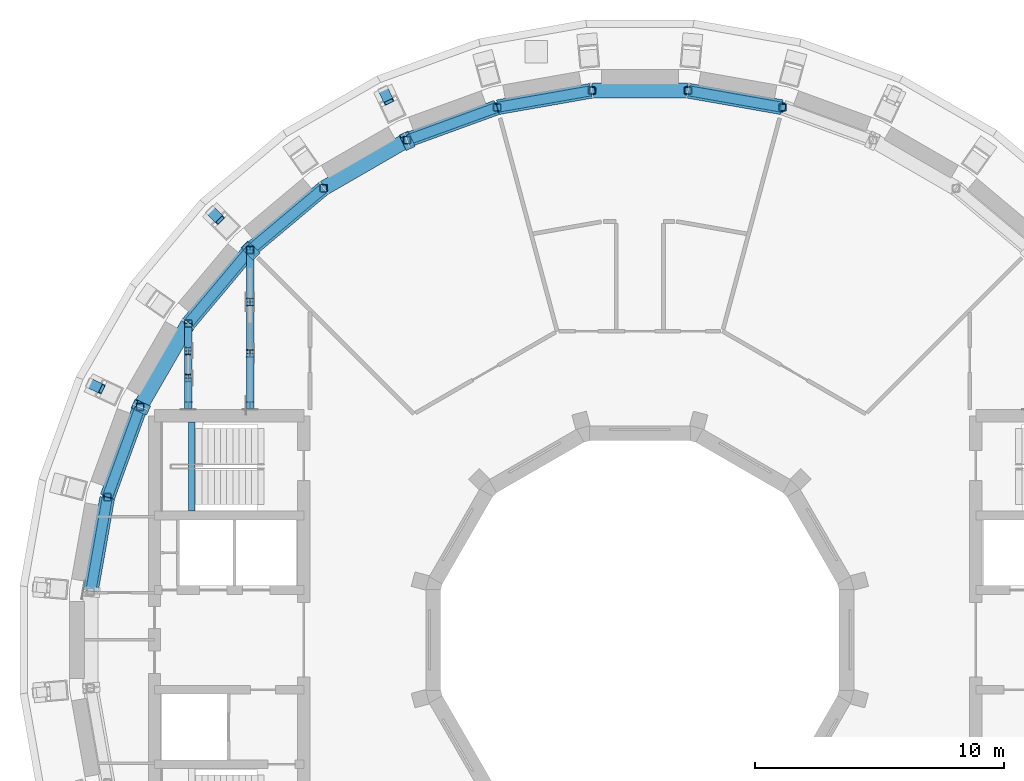
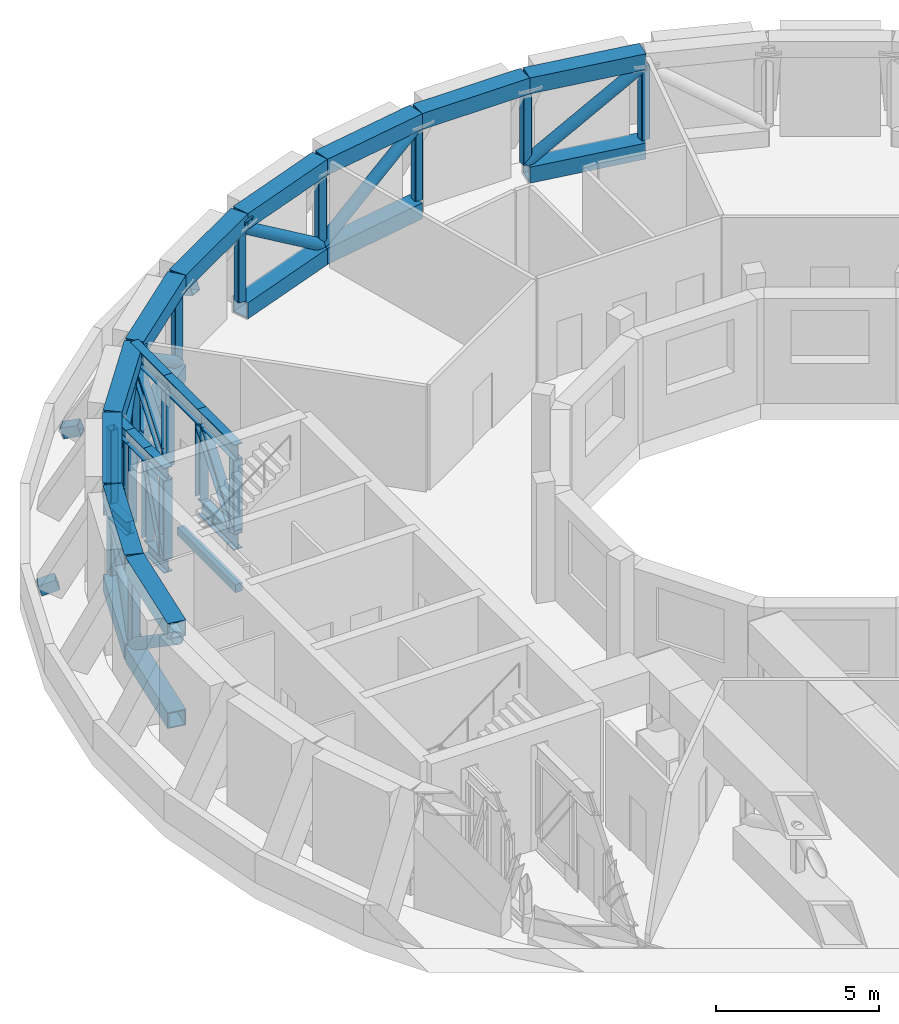
# One storey, part 6 of 20: 54 members, 7 beams.
"""IFC4 building model written with IfcOpenShell, lengths in metres."""

from ifc_helpers import new_model, si_unit, direction, frame, origin, origin_2d, place, context, subcontext, project, spatial, rectangle, hollow_rectangle, hollow_circle, i_section, extrude, material, material_profile, profile_set, type_object, element, save


model = new_model("IFC4")

# Units and contexts
model_context = context("Model", 3, precision=1e-05, world=origin(), true_north=direction((0.0, 1.0)))
body_context = subcontext(model_context, "Body", "Model", "MODEL_VIEW")
ifc_project = project(units=[si_unit("LENGTHUNIT", "METRE"), si_unit("AREAUNIT", "SQUARE_METRE"), si_unit("VOLUMEUNIT", "CUBIC_METRE"), si_unit("PLANEANGLEUNIT", "RADIAN"), si_unit("MASSUNIT", "GRAM", prefix="KILO")], contexts=[model_context])

# Site, building, storey
site_placement = place(None, origin())
site = spatial("IfcSite", under=ifc_project, at=site_placement, CompositionType="ELEMENT")
building_placement = place(site_placement, origin())
building = spatial("IfcBuilding", under=site, at=building_placement, Name="Saqina Gate Tower", CompositionType="ELEMENT")
storey_placement = place(building_placement, frame((0.0, 0.0, 220.199951171875)))
storey = spatial("IfcBuildingStorey", under=building, at=storey_placement, Name="L63", CompositionType="ELEMENT", Elevation=220.199951171875)

# Beam
ifc_material_1 = material(Name="Concrete C40/50", Category="concrete")
ifc_material_profile_1 = material_profile(ifc_material_1, rectangle(XDim=0.25, YDim=0.300048828125, at=origin_2d()), Name="STAIR LANDING BEAM")
ifc_profile_set_1 = profile_set([ifc_material_profile_1], Name="Concrete C40/50")
beam_type_1 = type_object("IfcBeamType", Name="STAIR LANDING BEAM", PredefinedType="BEAM", material=ifc_profile_set_1)
beam_placement = place(storey_placement, frame((-18.0, 5.175048828125, 1.85009765625), z_axis=(0.0, 1.0, 0.0), x_axis=(-1.0, 0.0, 0.0)))
element("IfcBeam", 1, at=beam_placement, inside=storey, type_object=beam_type_1, Name="EXIT STAIR 3 LANDING BEAM", PredefinedType="BEAM", context=body_context, shape_type="SweptSolid", body=[
    extrude(rectangle(XDim=0.25, YDim=0.300048828125, at=origin_2d()), origin(), (0.0, 0.0, 1.0), 3.574951171875),
])

# Members
ifc_material_2 = material(Name="Steel S460", Category="steel")
ifc_material_profile_2 = material_profile(ifc_material_2, hollow_rectangle(XDim=0.60009765625, YDim=0.60009765625, WallThickness=0.0400390625, at=origin_2d()), Name="BOX 600x600x40")
ifc_profile_set_2 = profile_set([ifc_material_profile_2], Name="Steel S460")
member_type_1 = type_object("IfcMemberType", Name="STR-BELT TRUSS L63 CHORD-BOX 600x600x40", PredefinedType="CHORD", material=ifc_profile_set_2)
for number, where, z_axis, x_axis, name in (
    (2, (5.70703125, 21.39990234375, 0.300048828125), (-0.984817742469, 0.173591515108, 0.0), (-0.173591515108, -0.984817742469, 0.0), "BELT TRUSS L63 CHORD 018"),
    (3, (5.70703125, 21.39990234375, 3.650146484375), (-0.984817742469, 0.173591515108, 0.0), (-0.173591515108, -0.984817742469, 0.0), "BELT TRUSS L63 CHORD 019"),
    (4, (1.904296875, 22.065673828125, 3.650146484375), (-1.0, 0.0, 0.0), (0.0, -1.0, 0.0), "BELT TRUSS L63 CHORD 021"),
    (5, (-1.956298828125, 22.06103515625, 0.300048828125), (-0.984817742469, -0.173591515108, 0.0), (0.173591515108, -0.984817742469, 0.0), "BELT TRUSS L63 CHORD 022"),
    (6, (-1.956298828125, 22.06103515625, 3.650146484375), (-0.984817742469, -0.173591515108, 0.0), (0.173591515108, -0.984817742469, 0.0), "BELT TRUSS L63 CHORD 023"),
    (7, (-5.757568359375, 21.38623046875, 0.300048828125), (-0.939701678704, -0.341995255876, 0.0), (0.341995255876, -0.939701678704, 0.0), "BELT TRUSS L63 CHORD 025"),
    (8, (-5.757568359375, 21.38623046875, 3.650146484375), (-0.939701678704, -0.341995255876, 0.0), (0.341995255876, -0.939701678704, 0.0), "BELT TRUSS L63 CHORD 026"),
):
    element("IfcMember", number, at=place(storey_placement, frame(where, z_axis=z_axis, x_axis=x_axis)), inside=storey, type_object=member_type_1, Name=name, PredefinedType="CHORD", context=body_context, shape_type="SweptSolid", body=[
        extrude(hollow_rectangle(XDim=0.60009765625, YDim=0.60009765625, WallThickness=0.0400390625, at=origin_2d()), origin(), (0.0, 0.0, 1.0), 3.80859375),
    ])
member_1_placement = place(storey_placement, frame((-9.3837890625, 20.0615234375, 3.650146484375), z_axis=(-0.866009436129, -0.500027655771, 0.0), x_axis=(0.500027655771, -0.866009436129, 0.0)))
element("IfcMember", 9, at=member_1_placement, inside=storey, type_object=member_type_1, Name="BELT TRUSS L63 CHORD 028", PredefinedType="CHORD", context=body_context, shape_type="SweptSolid", body=[
    extrude(hollow_rectangle(XDim=0.60009765625, YDim=0.60009765625, WallThickness=0.0400390625, at=origin_2d()), origin(), (0.0, 0.0, 1.0), 3.808349609375),
])
for number, where, z_axis, x_axis, name in (
    (10, (-12.724853515625, 18.12744140625, 0.300048828125), (-0.766020472545, -0.642816175622, 0.0), (0.642816175622, -0.766020472545, 0.0), "BELT TRUSS L63 CHORD 029"),
    (11, (-12.724853515625, 18.12744140625, 3.650146484375), (-0.766020472545, -0.642816175622, 0.0), (0.642816175622, -0.766020472545, 0.0), "BELT TRUSS L63 CHORD 030"),
    (12, (-15.67919921875, 15.642333984375, 0.300048828125), (-0.642816175622, -0.766020472545, 0.0), (0.766020472545, -0.642816175622, 0.0), "BELT TRUSS L63 CHORD 032"),
    (13, (-15.67919921875, 15.642333984375, 3.650146484375), (-0.642816175622, -0.766020472545, 0.0), (0.766020472545, -0.642816175622, 0.0), "BELT TRUSS L63 CHORD 033"),
):
    element("IfcMember", number, at=place(storey_placement, frame(where, z_axis=z_axis, x_axis=x_axis)), inside=storey, type_object=member_type_1, Name=name, PredefinedType="CHORD", context=body_context, shape_type="SweptSolid", body=[
        extrude(hollow_rectangle(XDim=0.60009765625, YDim=0.60009765625, WallThickness=0.0400390625, at=origin_2d()), origin(), (0.0, 0.0, 1.0), 3.80859375),
    ])
member_2_placement = place(storey_placement, frame((-18.1572265625, 12.681884765625, 3.650146484375), z_axis=(-0.500027655771, -0.866009436129, 0.0), x_axis=(0.866009436129, -0.500027655771, 0.0)))
element("IfcMember", 14, at=member_2_placement, inside=storey, type_object=member_type_1, Name="BELT TRUSS L63 CHORD 035", PredefinedType="CHORD", context=body_context, shape_type="SweptSolid", body=[
    extrude(hollow_rectangle(XDim=0.60009765625, YDim=0.60009765625, WallThickness=0.0400390625, at=origin_2d()), origin(), (0.0, 0.0, 1.0), 3.808349609375),
])
for number, where, z_axis, x_axis, name in (
    (15, (-20.083740234375, 9.33642578125, 0.300048828125), (-0.341995255876, -0.939701678704, 0.0), (0.939701678704, -0.341995255876, 0.0), "BELT TRUSS L63 CHORD 036"),
    (16, (-20.083740234375, 9.33642578125, 3.650146484375), (-0.341995255876, -0.939701678704, 0.0), (0.939701678704, -0.341995255876, 0.0), "BELT TRUSS L63 CHORD 037"),
    (17, (-21.39990234375, 5.70703125, 0.300048828125), (-0.173591515108, -0.984817742469, 0.0), (0.984817742469, -0.173591515108, 0.0), "BELT TRUSS L63 CHORD 039"),
    (18, (-21.39990234375, 5.70703125, 3.650146484375), (-0.173591515108, -0.984817742469, 0.0), (0.984817742469, -0.173591515108, 0.0), "BELT TRUSS L63 CHORD 040"),
):
    element("IfcMember", number, at=place(storey_placement, frame(where, z_axis=z_axis, x_axis=x_axis)), inside=storey, type_object=member_type_1, Name=name, PredefinedType="CHORD", context=body_context, shape_type="SweptSolid", body=[
        extrude(hollow_rectangle(XDim=0.60009765625, YDim=0.60009765625, WallThickness=0.0400390625, at=origin_2d()), origin(), (0.0, 0.0, 1.0), 3.80859375),
    ])
ifc_material_3 = material(Name="Steel S460", Category="steel")
ifc_material_profile_3 = material_profile(ifc_material_3, hollow_circle(Radius=0.203125, WallThickness=0.01611328125, at=origin_2d()), Name="CHS 406.4x16")
ifc_profile_set_3 = profile_set([ifc_material_profile_3], Name="Steel S460")
member_type_2 = type_object("IfcMemberType", Name="STR-BELT TRUSS L63 DIAGONAL-CHS 406.4x16", PredefinedType="BRACE", material=ifc_profile_set_3)
for number, where, z_axis, x_axis, name in (
    (19, (5.742431640625, 21.3935546875, 3.35693359375), (-0.802139045921, 0.141436387066, -0.580145412309), (-0.17364535687, -0.984808250391, 0.0), "BELT TRUSS L63 DIAGONAL 020"),
    (20, (-1.9208984375, 22.0673828125, 3.35693359375), (-0.802139045921, -0.141436387066, -0.580145412309), (0.17364535687, -0.984808250391, 0.0), "BELT TRUSS L63 DIAGONAL 024"),
    (21, (-5.7236328125, 21.398681640625, 0.593017578125), (-0.765385221428, -0.27861538892, 0.580136990612), (0.342061285319, -0.939677645305, 0.0), "BELT TRUSS L63 DIAGONAL 027"),
    (22, (-12.697265625, 18.150390625, 0.593017578125), (-0.623970085699, -0.523528120524, 0.580154840687), (0.642755225422, -0.766071615577, 0.0), "BELT TRUSS L63 DIAGONAL 031"),
    (23, (-15.65625, 15.669921875, 3.35693359375), (-0.523528120524, -0.623970085699, -0.580154840687), (0.766071615577, -0.642755225422, 0.0), "BELT TRUSS L63 DIAGONAL 034"),
    (24, (-20.0712890625, 9.3701171875, 3.35693359375), (-0.27861538892, -0.765385221428, -0.580136990612), (0.939677645305, -0.342061285319, 0.0), "BELT TRUSS L63 DIAGONAL 038"),
    (25, (-21.3935546875, 5.742431640625, 0.593017578125), (-0.141436387066, -0.802139045921, 0.580145412309), (0.984808250391, -0.17364535687, 0.0), "BELT TRUSS L63 DIAGONAL 041"),
):
    element("IfcMember", number, at=place(storey_placement, frame(where, z_axis=z_axis, x_axis=x_axis)), inside=storey, type_object=member_type_2, Name=name, PredefinedType="BRACE", context=body_context, shape_type="SweptSolid", body=[
        extrude(hollow_circle(Radius=0.203125, WallThickness=0.01611328125, at=origin_2d()), origin(), (0.0, 0.0, 1.0), 4.76416015625),
    ])
ifc_material_4 = material(Name="Steel S460", Category="steel")
ifc_material_profile_4 = material_profile(ifc_material_4, hollow_rectangle(XDim=0.300048828125, YDim=0.300048828125, WallThickness=0.01611328125, InnerFilletRadius=0.031982421875, OuterFilletRadius=0.048095703125, at=origin_2d()), Name="SHS 300x300x16")
ifc_profile_set_4 = profile_set([ifc_material_profile_4], Name="Steel S460")
member_type_3 = type_object("IfcMemberType", Name="STR-BELT TRUSS L63 POST-SHS 300x300x16", PredefinedType="POST", material=ifc_profile_set_4)
for number, where, z_axis, x_axis, name in (
    (26, (5.73291015625, 21.395263671875, 0.60009765625), (0.0, 0.0, 1.0), (1.0, 0.0, 0.0), "BELT TRUSS L63 POST 091"),
    (27, (1.930419921875, 22.065673828125, 0.60009765625), (0.0, 0.0, 1.0), (1.0, 0.0, 0.0), "BELT TRUSS L63 POST 092"),
    (28, (-1.930419921875, 22.065673828125, 0.60009765625), (0.0, 0.0, 1.0), (1.0, 0.0, 0.0), "BELT TRUSS L63 POST 093"),
    (29, (-5.73291015625, 21.395263671875, 0.60009765625), (0.0, 0.0, 1.0), (1.0, 0.0, 0.0), "BELT TRUSS L63 POST 094"),
    (30, (-9.361083984375, 20.07470703125, 0.60009765625), (0.0, 0.0, 1.0), (1.0, 0.0, 0.0), "BELT TRUSS L63 POST 095"),
    (31, (-12.704833984375, 18.144287109375, 0.60009765625), (0.0, 0.0, 1.0), (1.0, 0.0, 0.0), "BELT TRUSS L63 POST 096"),
    (32, (-15.662353515625, 15.662353515625, 0.60009765625), (0.0, 0.0, 1.0), (1.0, 0.0, 0.0), "BELT TRUSS L63 POST 097"),
    (33, (-18.144287109375, 12.704833984375, 0.60009765625), (0.0, 0.0, 1.0), (1.0, 0.0, 0.0), "BELT TRUSS L63 POST 098"),
    (34, (-20.07470703125, 9.361083984375, 0.60009765625), (0.0, 0.0, 1.0), (1.0, 0.0, 0.0), "BELT TRUSS L63 POST 099"),
    (35, (-21.395263671875, 5.73291015625, 0.60009765625), (0.0, 0.0, 1.0), (1.0, 0.0, 0.0), "BELT TRUSS L63 POST 100"),
):
    element("IfcMember", number, at=place(storey_placement, frame(where, z_axis=z_axis, x_axis=x_axis)), inside=storey, type_object=member_type_3, Name=name, PredefinedType="POST", context=body_context, shape_type="SweptSolid", body=[
        extrude(hollow_rectangle(XDim=0.300048828125, YDim=0.300048828125, WallThickness=0.01611328125, InnerFilletRadius=0.031982421875, OuterFilletRadius=0.048095703125, at=origin_2d()), origin(), (0.0, 0.0, 1.0), 2.75),
    ])

# Beams
ifc_material_5 = material(Name="Steel S460", Category="steel")
ifc_material_profile_5 = material_profile(ifc_material_5, hollow_rectangle(XDim=0.39990234375, YDim=0.39990234375, WallThickness=0.030029296875, at=origin_2d()), Name="BOX 400x400x30")
ifc_profile_set_5 = profile_set([ifc_material_profile_5], Name="Steel S460")
beam_type_2 = type_object("IfcBeamType", Name="STR-NODE TIE BEAM L63-BOX 400x400x30", PredefinedType="BEAM", material=ifc_profile_set_5)
for number, where, z_axis, x_axis, name in (
    (36, (-10.311767578125, 22.114013671875, 0.1884765625), (0.398020685333, -0.853737646481, 0.335725431011), (0.906341825437, 0.42254525848, 0.0), "NODE TIE BEAM L63 12 FOOT"),
    (37, (-9.234130859375, 19.802734375, 3.565673828125), (-0.398020685333, 0.853737646481, 0.335725431011), (-0.906341825437, -0.42254525848, 0.0), "NODE TIE BEAM L63 12 HEAD"),
    (38, (-17.25341796875, 17.25341796875, 0.1884765625), (0.666060531238, -0.666060531238, 0.335748026732), (0.707106781187, 0.707106781187, 0.0), "NODE TIE BEAM L63 14 FOOT"),
    (39, (-15.4501953125, 15.4501953125, 3.565673828125), (-0.666060531238, 0.666060531238, 0.335748026732), (-0.707106781187, -0.707106781187, 0.0), "NODE TIE BEAM L63 14 HEAD"),
    (40, (-22.114013671875, 10.311767578125, 0.1884765625), (0.853737646481, -0.398020685333, 0.335725431011), (0.42254525848, 0.906341825437, 0.0), "NODE TIE BEAM L63 16 FOOT"),
    (41, (-19.802734375, 9.234130859375, 3.565673828125), (-0.853737646481, 0.398020685333, 0.335725431011), (-0.42254525848, -0.906341825437, 0.0), "NODE TIE BEAM L63 16 HEAD"),
):
    element("IfcBeam", number, at=place(storey_placement, frame(where, z_axis=z_axis, x_axis=x_axis)), inside=storey, type_object=beam_type_2, Name=name, PredefinedType="BEAM", context=body_context, shape_type="SweptSolid", body=[
        extrude(hollow_rectangle(XDim=0.39990234375, YDim=0.39990234375, WallThickness=0.030029296875, at=origin_2d()), origin(), (0.0, 0.0, 1.0), 0.583984375),
    ])

# Members
ifc_material_6 = material(Name="Steel S460", Category="steel")
ifc_material_profile_6 = material_profile(ifc_material_6, i_section(OverallWidth=0.300048828125, OverallDepth=0.5, WebThickness=0.014404296875, FlangeThickness=0.028076171875, FilletRadius=0.027099609375, at=origin_2d()), Name="HE 500 B")
ifc_profile_set_6 = profile_set([ifc_material_profile_6], Name="Steel S460")
member_type_4 = type_object("IfcMemberType", Name="STR-OUTRIGGER TRUSS L63 CHORD-HE 500 B", PredefinedType="CHORD", material=ifc_profile_set_6)
for number, where, z_axis, x_axis, name in (
    (42, (-18.144287109375, 9.26806640625, 0.25), (0.0, 1.0, 0.0), (-1.0, 0.0, 0.0), "OUTRIGGER TRUSS L63 CHORD 140"),
    (43, (-18.144287109375, 9.26806640625, 3.699951171875), (0.0, 1.0, 0.0), (-1.0, 0.0, 0.0), "OUTRIGGER TRUSS L63 CHORD 141"),
):
    element("IfcMember", number, at=place(storey_placement, frame(where, z_axis=z_axis, x_axis=x_axis)), inside=storey, type_object=member_type_4, Name=name, PredefinedType="CHORD", context=body_context, shape_type="SweptSolid", body=[
        extrude(i_section(OverallWidth=0.300048828125, OverallDepth=0.5, WebThickness=0.014404296875, FlangeThickness=0.028076171875, FilletRadius=0.027099609375, at=origin_2d()), origin(), (0.0, 0.0, 1.0), 1.24560546875),
    ])
member_3_placement = place(storey_placement, frame((-18.144287109375, 10.513671875, 3.699951171875), z_axis=(0.0, 1.0, 0.0), x_axis=(-1.0, 0.0, 0.0)))
element("IfcMember", 44, at=member_3_placement, inside=storey, type_object=member_type_4, Name="OUTRIGGER TRUSS L63 CHORD 143", PredefinedType="CHORD", context=body_context, shape_type="SweptSolid", body=[
    extrude(i_section(OverallWidth=0.300048828125, OverallDepth=0.5, WebThickness=0.014404296875, FlangeThickness=0.028076171875, FilletRadius=0.027099609375, at=origin_2d()), origin(), (0.0, 0.0, 1.0), 1.095458984375),
])
for number, where, z_axis, x_axis, name in (
    (45, (-18.144287109375, 11.609130859375, 0.25), (0.0, 1.0, 0.0), (-1.0, 0.0, 0.0), "OUTRIGGER TRUSS L63 CHORD 144"),
    (46, (-18.144287109375, 11.609130859375, 3.699951171875), (0.0, 1.0, 0.0), (-1.0, 0.0, 0.0), "OUTRIGGER TRUSS L63 CHORD 145"),
):
    element("IfcMember", number, at=place(storey_placement, frame(where, z_axis=z_axis, x_axis=x_axis)), inside=storey, type_object=member_type_4, Name=name, PredefinedType="CHORD", context=body_context, shape_type="SweptSolid", body=[
        extrude(i_section(OverallWidth=0.300048828125, OverallDepth=0.5, WebThickness=0.014404296875, FlangeThickness=0.028076171875, FilletRadius=0.027099609375, at=origin_2d()), origin(), (0.0, 0.0, 1.0), 1.095703125),
    ])
ifc_material_7 = material(Name="Steel S460", Category="steel")
ifc_material_profile_7 = material_profile(ifc_material_7, i_section(OverallWidth=0.300048828125, OverallDepth=0.300048828125, WebThickness=0.010986328125, FlangeThickness=0.01904296875, FilletRadius=0.027099609375, at=origin_2d()), Name="HE 300 B")
ifc_profile_set_7 = profile_set([ifc_material_profile_7], Name="Steel S460")
member_type_5 = type_object("IfcMemberType", Name="STR-OUTRIGGER TRUSS L63 DIAGONAL-HE 300 B", PredefinedType="BRACE", material=ifc_profile_set_7)
for number, where, z_axis, x_axis, name in (
    (47, (-18.144287109375, 9.413818359375, 0.48876953125), (0.0, 0.348176863633, 0.937428862171), (-1.0, 0.0, 0.0), "OUTRIGGER TRUSS L63 DIAGONAL 142"),
    (48, (-18.144287109375, 11.60498046875, 0.48876953125), (0.0, 0.348176863633, 0.937428862171), (-1.0, 0.0, 0.0), "OUTRIGGER TRUSS L63 DIAGONAL 146"),
):
    element("IfcMember", number, at=place(storey_placement, frame(where, z_axis=z_axis, x_axis=x_axis)), inside=storey, type_object=member_type_5, Name=name, PredefinedType="BRACE", context=body_context, shape_type="SweptSolid", body=[
        extrude(i_section(OverallWidth=0.300048828125, OverallDepth=0.300048828125, WebThickness=0.010986328125, FlangeThickness=0.01904296875, FilletRadius=0.027099609375, at=origin_2d()), origin(), (0.0, 0.0, 1.0), 3.1708984375),
    ])
ifc_material_8 = material(Name="Steel S460", Category="steel")
ifc_material_profile_8 = material_profile(ifc_material_8, i_section(OverallWidth=0.300048828125, OverallDepth=0.60009765625, WebThickness=0.015380859375, FlangeThickness=0.030029296875, FilletRadius=0.027099609375, at=origin_2d()), Name="HE 600 B")
ifc_profile_set_8 = profile_set([ifc_material_profile_8], Name="Steel S460")
member_type_6 = type_object("IfcMemberType", Name="STR-OUTRIGGER TRUSS L63 LONG CHORD-HE 600 B", PredefinedType="CHORD", material=ifc_profile_set_8)
for number, where, z_axis, x_axis, name in (
    (49, (-15.662353515625, 9.26806640625, 0.300048828125), (0.0, 1.0, 0.0), (-1.0, 0.0, 0.0), "OUTRIGGER TRUSS L63 LONG CHORD 180"),
    (50, (-15.662353515625, 9.26806640625, 3.650146484375), (0.0, 1.0, 0.0), (-1.0, 0.0, 0.0), "OUTRIGGER TRUSS L63 LONG CHORD 181"),
):
    element("IfcMember", number, at=place(storey_placement, frame(where, z_axis=z_axis, x_axis=x_axis)), inside=storey, type_object=member_type_6, Name=name, PredefinedType="CHORD", context=body_context, shape_type="SweptSolid", body=[
        extrude(i_section(OverallWidth=0.300048828125, OverallDepth=0.60009765625, WebThickness=0.015380859375, FlangeThickness=0.030029296875, FilletRadius=0.027099609375, at=origin_2d()), origin(), (0.0, 0.0, 1.0), 2.2314453125),
    ])
member_4_placement = place(storey_placement, frame((-15.662353515625, 11.49951171875, 3.650146484375), z_axis=(0.0, 1.0, 0.0), x_axis=(-1.0, 0.0, 0.0)))
element("IfcMember", 51, at=member_4_placement, inside=storey, type_object=member_type_6, Name="OUTRIGGER TRUSS L63 LONG CHORD 183", PredefinedType="CHORD", context=body_context, shape_type="SweptSolid", body=[
    extrude(i_section(OverallWidth=0.300048828125, OverallDepth=0.60009765625, WebThickness=0.015380859375, FlangeThickness=0.030029296875, FilletRadius=0.027099609375, at=origin_2d()), origin(), (0.0, 0.0, 1.0), 2.08154296875),
])
for number, where, z_axis, x_axis, name in (
    (52, (-15.662353515625, 13.5810546875, 0.300048828125), (0.0, 1.0, 0.0), (-1.0, 0.0, 0.0), "OUTRIGGER TRUSS L63 LONG CHORD 184"),
    (53, (-15.662353515625, 13.5810546875, 3.650146484375), (0.0, 1.0, 0.0), (-1.0, 0.0, 0.0), "OUTRIGGER TRUSS L63 LONG CHORD 185"),
):
    element("IfcMember", number, at=place(storey_placement, frame(where, z_axis=z_axis, x_axis=x_axis)), inside=storey, type_object=member_type_6, Name=name, PredefinedType="CHORD", context=body_context, shape_type="SweptSolid", body=[
        extrude(i_section(OverallWidth=0.300048828125, OverallDepth=0.60009765625, WebThickness=0.015380859375, FlangeThickness=0.030029296875, FilletRadius=0.027099609375, at=origin_2d()), origin(), (0.0, 0.0, 1.0), 2.081298828125),
    ])
ifc_material_9 = material(Name="Steel S460", Category="steel")
ifc_material_profile_9 = material_profile(ifc_material_9, i_section(OverallWidth=0.300048828125, OverallDepth=0.39990234375, WebThickness=0.013427734375, FlangeThickness=0.02392578125, FilletRadius=0.027099609375, at=origin_2d()), Name="HE 400 B")
ifc_profile_set_9 = profile_set([ifc_material_profile_9], Name="Steel S460")
member_type_7 = type_object("IfcMemberType", Name="STR-OUTRIGGER TRUSS L63 LONG DIAGONAL-HE 400 B", PredefinedType="BRACE", material=ifc_profile_set_9)
for number, where, z_axis, x_axis, name in (
    (54, (-15.662353515625, 9.41064453125, 0.590576171875), (0.0, 0.603570718671, 0.797309467875), (-1.0, 0.0, 0.0), "OUTRIGGER TRUSS L63 LONG DIAGONAL 182"),
    (55, (-15.662353515625, 13.57373046875, 0.590576171875), (0.0, 0.603526027806, 0.797343297307), (-1.0, 0.0, 0.0), "OUTRIGGER TRUSS L63 LONG DIAGONAL 186"),
):
    element("IfcMember", number, at=place(storey_placement, frame(where, z_axis=z_axis, x_axis=x_axis)), inside=storey, type_object=member_type_7, Name=name, PredefinedType="BRACE", context=body_context, shape_type="SweptSolid", body=[
        extrude(i_section(OverallWidth=0.300048828125, OverallDepth=0.39990234375, WebThickness=0.013427734375, FlangeThickness=0.02392578125, FilletRadius=0.027099609375, at=origin_2d()), origin(), (0.0, 0.0, 1.0), 3.472900390625),
    ])
ifc_material_10 = material(Name="Steel S460", Category="steel")
ifc_material_profile_10 = material_profile(ifc_material_10, i_section(OverallWidth=0.300048828125, OverallDepth=0.300048828125, WebThickness=0.010986328125, FlangeThickness=0.01904296875, FilletRadius=0.027099609375, at=origin_2d()), Name="HE 300 B")
ifc_profile_set_10 = profile_set([ifc_material_profile_10], Name="Steel S460")
member_type_8 = type_object("IfcMemberType", Name="STR-OUTRIGGER TRUSS L63 LONG POST-HE 300 B", PredefinedType="POST", material=ifc_profile_set_10)
for number, where, z_axis, x_axis, name in (
    (56, (-15.662353515625, 9.41796875, 0.60009765625), (0.0, 0.0, 1.0), (1.0, 0.0, 0.0), "OUTRIGGER TRUSS L63 LONG POST 187"),
    (57, (-15.662353515625, 11.49951171875, 0.60009765625), (0.0, 0.0, 1.0), (1.0, 0.0, 0.0), "OUTRIGGER TRUSS L63 LONG POST 188"),
    (58, (-15.662353515625, 13.5810546875, 0.60009765625), (0.0, 0.0, 1.0), (1.0, 0.0, 0.0), "OUTRIGGER TRUSS L63 LONG POST 189"),
):
    element("IfcMember", number, at=place(storey_placement, frame(where, z_axis=z_axis, x_axis=x_axis)), inside=storey, type_object=member_type_8, Name=name, PredefinedType="POST", context=body_context, shape_type="SweptSolid", body=[
        extrude(i_section(OverallWidth=0.300048828125, OverallDepth=0.300048828125, WebThickness=0.010986328125, FlangeThickness=0.01904296875, FilletRadius=0.027099609375, at=origin_2d()), origin(), (0.0, 0.0, 1.0), 2.75),
    ])
ifc_material_11 = material(Name="Steel S460", Category="steel")
ifc_material_profile_11 = material_profile(ifc_material_11, i_section(OverallWidth=0.300048828125, OverallDepth=0.300048828125, WebThickness=0.010986328125, FlangeThickness=0.01904296875, FilletRadius=0.027099609375, at=origin_2d()), Name="HE 300 B")
ifc_profile_set_11 = profile_set([ifc_material_profile_11], Name="Steel S460")
member_type_9 = type_object("IfcMemberType", Name="STR-OUTRIGGER TRUSS L63 POST-HE 300 B", PredefinedType="POST", material=ifc_profile_set_11)
for number, where, z_axis, x_axis, name in (
    (59, (-18.144287109375, 9.41796875, 0.5), (0.0, 0.0, 1.0), (1.0, 0.0, 0.0), "OUTRIGGER TRUSS L63 POST 147"),
    (60, (-18.144287109375, 10.513671875, 0.5), (0.0, 0.0, 1.0), (1.0, 0.0, 0.0), "OUTRIGGER TRUSS L63 POST 148"),
    (61, (-18.144287109375, 11.609130859375, 0.5), (0.0, 0.0, 1.0), (1.0, 0.0, 0.0), "OUTRIGGER TRUSS L63 POST 149"),
):
    element("IfcMember", number, at=place(storey_placement, frame(where, z_axis=z_axis, x_axis=x_axis)), inside=storey, type_object=member_type_9, Name=name, PredefinedType="POST", context=body_context, shape_type="SweptSolid", body=[
        extrude(i_section(OverallWidth=0.300048828125, OverallDepth=0.300048828125, WebThickness=0.010986328125, FlangeThickness=0.01904296875, FilletRadius=0.027099609375, at=origin_2d()), origin(), (0.0, 0.0, 1.0), 2.949951171875),
    ])

save(model, "model.ifc")
